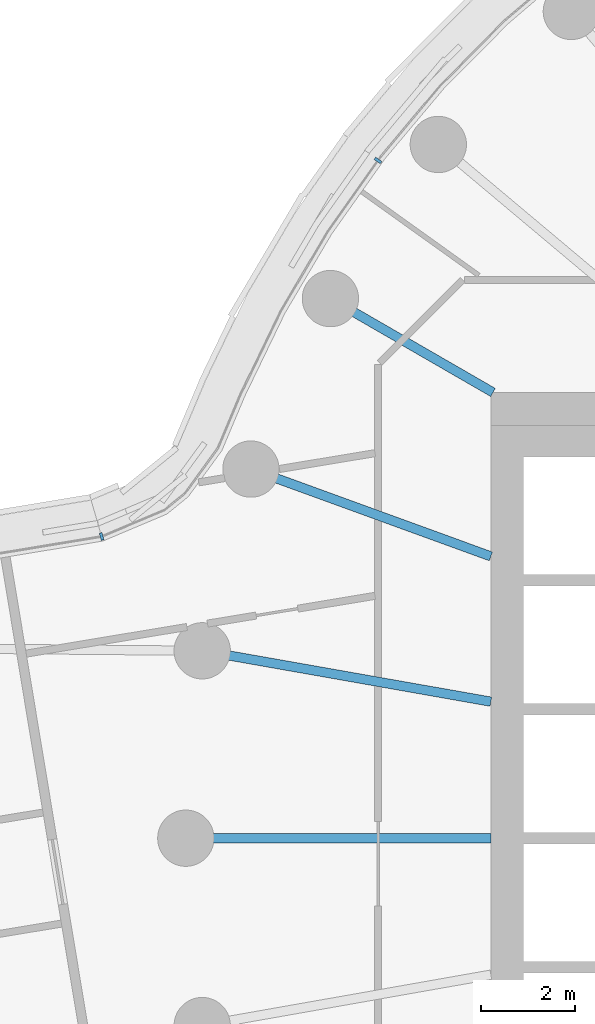
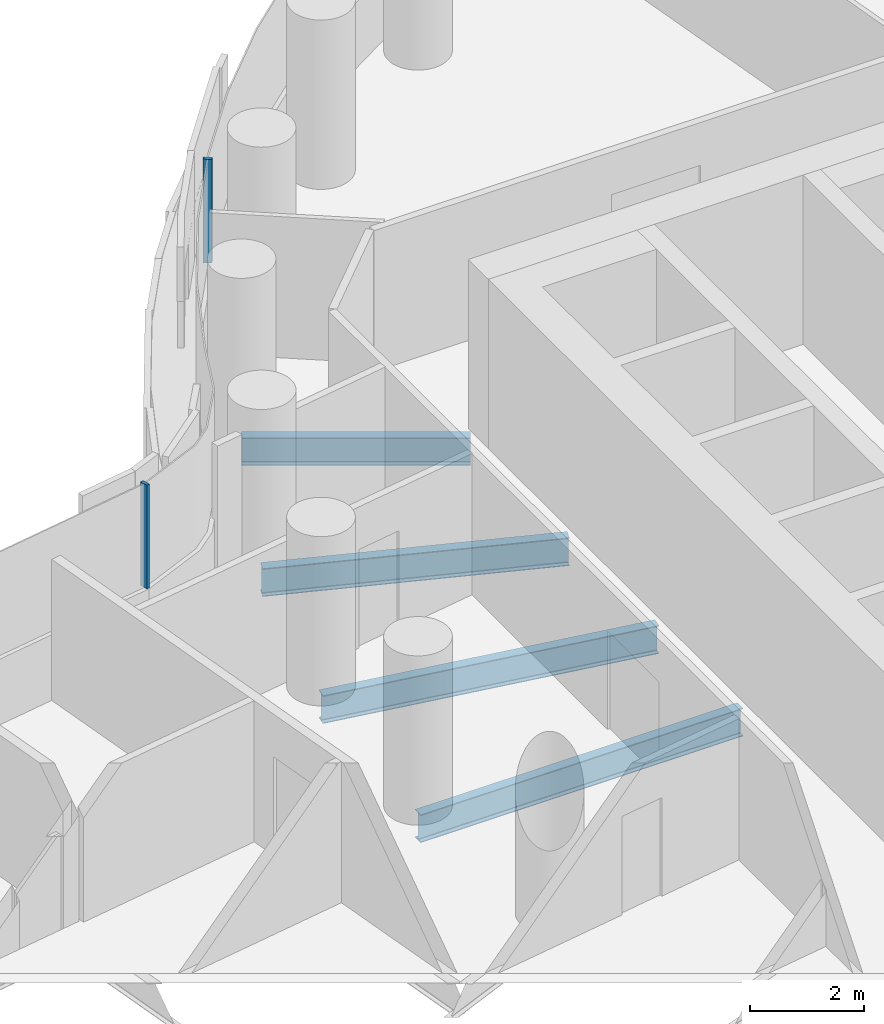
# One storey, part 9 of 32: 4 beams, 2 members, 2 elements without a shape of their own.
"""IFC4 building model written with IfcOpenShell, lengths in metres."""

from ifc_helpers import new_model, si_unit, direction, frame, origin, origin_2d, place, context, subcontext, project, spatial, rectangle, i_section, extrude, material, layer, layer_set, material_profile, profile_set, type_object, element, aggregate, save


model = new_model("IFC4")

# Units and contexts
model_context = context("Model", 3, precision=1e-05, world=origin(), true_north=direction((0.0, 1.0)))
body_context = subcontext(model_context, "Body", "Model", "MODEL_VIEW")
ifc_project = project(units=[si_unit("LENGTHUNIT", "METRE"), si_unit("AREAUNIT", "SQUARE_METRE"), si_unit("VOLUMEUNIT", "CUBIC_METRE"), si_unit("PLANEANGLEUNIT", "RADIAN"), si_unit("MASSUNIT", "GRAM", prefix="KILO")], contexts=[model_context])

# Site, building, storey
site_placement = place(None, origin())
site = spatial("IfcSite", under=ifc_project, at=site_placement, CompositionType="ELEMENT")
building_placement = place(site_placement, origin())
building = spatial("IfcBuilding", under=site, at=building_placement, Name="Tamarind Cross Interchange Tower", CompositionType="ELEMENT")
storey_placement = place(building_placement, frame((0.0, 0.0, 67.75)))
storey = spatial("IfcBuildingStorey", under=building, at=storey_placement, Name="L15", CompositionType="ELEMENT", Elevation=67.75)

# Beams
ifc_material_1 = material(Name="Steel Q355B", Category="steel")
ifc_material_profile_1 = material_profile(ifc_material_1, i_section(OverallWidth=0.198974609375, OverallDepth=0.595947265625, WebThickness=0.010009765625, FlangeThickness=0.014892578125, FilletRadius=0.012939453125, at=origin_2d()), Name="HN 596x199x10x15")
ifc_profile_set_1 = profile_set([ifc_material_profile_1], Name="Steel Q355B")
beam_type = type_object("IfcBeamType", Name="Composite beam HN 596x199x10x15 Q355B", PredefinedType="BEAM", material=ifc_profile_set_1)
beam_1_placement = place(storey_placement, frame((-19.918701171875, 11.5, -0.43798828125), z_axis=(0.866026010844, -0.49999894854, 0.0), x_axis=(0.49999894854, 0.866026010844, 0.0)))
element("IfcBeam", 1, at=beam_1_placement, inside=storey, type_object=beam_type, Name="Beam HH15", PredefinedType="BEAM", context=body_context, shape_type="SweptSolid", body=[
    extrude(i_section(OverallWidth=0.198974609375, OverallDepth=0.595947265625, WebThickness=0.010009765625, FlangeThickness=0.014892578125, FilletRadius=0.012939453125, at=origin_2d()), origin(), (0.0, 0.0, 1.0), 4.0),
])
beam_2_placement = place(storey_placement, frame((-21.613037109375, 7.866455078125, -0.43798828125), z_axis=(0.939701685589, -0.341995236956, 0.0), x_axis=(0.341995236956, 0.939701685589, 0.0)))
element("IfcBeam", 2, at=beam_2_placement, inside=storey, type_object=beam_type, Name="Beam HH16", PredefinedType="BEAM", context=body_context, shape_type="SweptSolid", body=[
    extrude(i_section(OverallWidth=0.198974609375, OverallDepth=0.595947265625, WebThickness=0.010009765625, FlangeThickness=0.014892578125, FilletRadius=0.012939453125, at=origin_2d()), origin(), (0.0, 0.0, 1.0), 5.441162109375),
])
beam_3_placement = place(storey_placement, frame((-22.650634765625, 3.993896484375, -0.43798828125), z_axis=(0.984809127561, -0.173640382036, 0.0), x_axis=(0.173640382036, 0.984809127561, 0.0)))
element("IfcBeam", 3, at=beam_3_placement, inside=storey, type_object=beam_type, Name="Beam HH17", PredefinedType="BEAM", context=body_context, shape_type="SweptSolid", body=[
    extrude(i_section(OverallWidth=0.198974609375, OverallDepth=0.595947265625, WebThickness=0.010009765625, FlangeThickness=0.014892578125, FilletRadius=0.012939453125, at=origin_2d()), origin(), (0.0, 0.0, 1.0), 6.24560546875),
])
beam_4_placement = place(storey_placement, frame((-23.0, 0.0, -0.43798828125), z_axis=(1.0, 0.0, 0.0), x_axis=(0.0, 1.0, 0.0)))
element("IfcBeam", 4, at=beam_4_placement, inside=storey, type_object=beam_type, Name="Beam HH18", PredefinedType="BEAM", context=body_context, shape_type="SweptSolid", body=[
    extrude(i_section(OverallWidth=0.198974609375, OverallDepth=0.595947265625, WebThickness=0.010009765625, FlangeThickness=0.014892578125, FilletRadius=0.012939453125, at=origin_2d()), origin(), (0.0, 0.0, 1.0), 6.5),
])

# Curtain wall, member
ifc_material_2 = material(Name="Aluminium 6063-T6", Category="aluminium")
ifc_layer = layer(ifc_material_2, 0.159912109375)
ifc_layer_set = layer_set([ifc_layer], Name="Aluminium 6063-T6")
curtain_wall_type = type_object("IfcCurtainWallType", Name="Office curtain wall, 9.0 m bays", PredefinedType="NOTDEFINED", material=ifc_layer_set)
curtain_wall_1_placement = place(storey_placement, origin())
curtain_wall_1 = element("IfcCurtainWall", 5, at=curtain_wall_1_placement, inside=storey, type_object=curtain_wall_type, Name="CWS-L15-02", PredefinedType="NOTDEFINED")
ifc_material_profile_2 = material_profile(ifc_material_2, rectangle(XDim=0.06005859375, YDim=0.159912109375, at=origin_2d()), Name="Mullion CW1")
ifc_profile_set_2 = profile_set([ifc_material_profile_2], Name="Aluminium 6063-T6")
member_type = type_object("IfcMemberType", Name="Mullion CW1", PredefinedType="MULLION", material=ifc_profile_set_2)
member_1_placement = place(storey_placement, frame((-18.905517578125, 14.443603515625, 1.39990234375), z_axis=(0.0, 0.0, 1.0), x_axis=(-0.577568978284, -0.816341886298, 0.0)))
member_1 = element("IfcMember", 6, at=member_1_placement, type_object=member_type, Name="CWM-L15-02-02", PredefinedType="MULLION", context=body_context, shape_type="SweptSolid", body=[
    extrude(rectangle(XDim=0.06005859375, YDim=0.159912109375, at=origin_2d()), origin(), (0.0, 0.0, 1.0), 2.210205078125),
])
aggregate(curtain_wall_1, [member_1])

curtain_wall_2_placement = place(storey_placement, origin())
curtain_wall_2 = element("IfcCurtainWall", 7, at=curtain_wall_2_placement, inside=storey, type_object=curtain_wall_type, Name="CWS-L15-03", PredefinedType="NOTDEFINED")
member_2_placement = place(storey_placement, frame((-24.794921875, 6.4296875, 1.39990234375), z_axis=(0.0, 0.0, 1.0), x_axis=(-0.960607231308, -0.277909602496, 0.0)))
member_2 = element("IfcMember", 8, at=member_2_placement, type_object=member_type, Name="CWM-L15-03-00", PredefinedType="MULLION", context=body_context, shape_type="SweptSolid", body=[
    extrude(rectangle(XDim=0.06005859375, YDim=0.159912109375, at=origin_2d()), origin(), (0.0, 0.0, 1.0), 2.210205078125),
])
aggregate(curtain_wall_2, [member_2])

save(model, "model.ifc")
